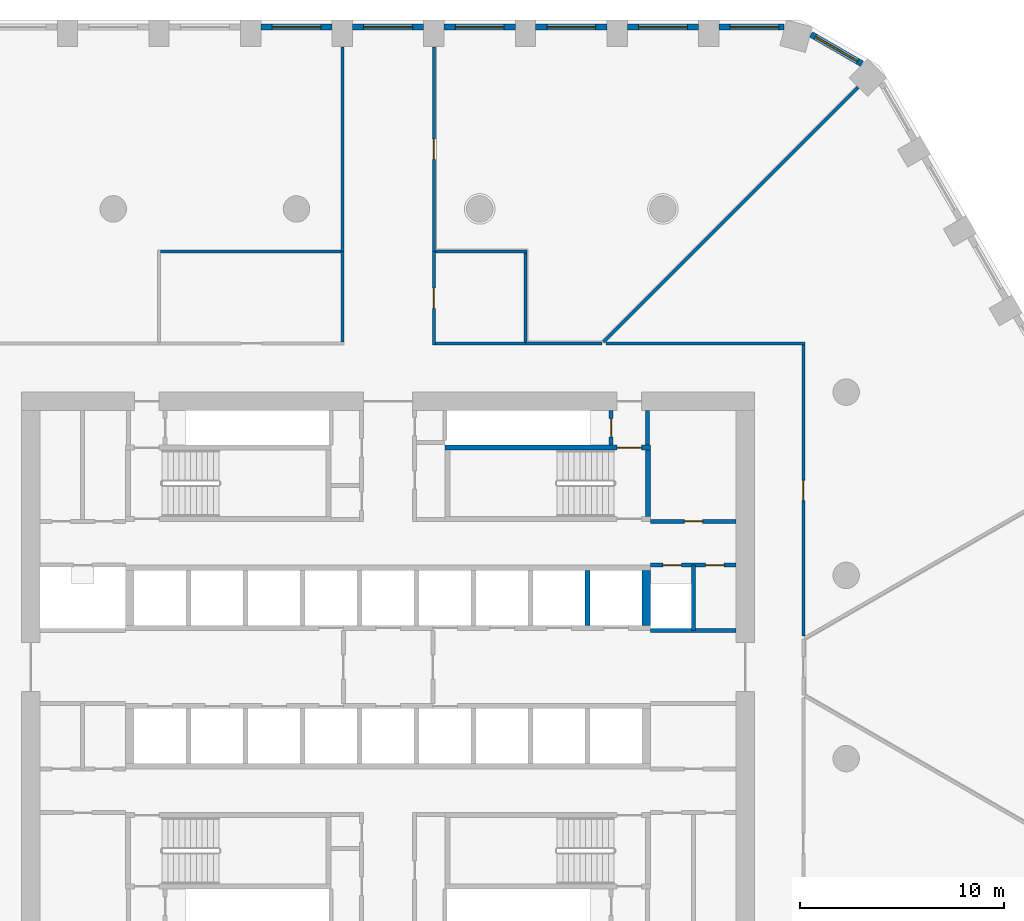
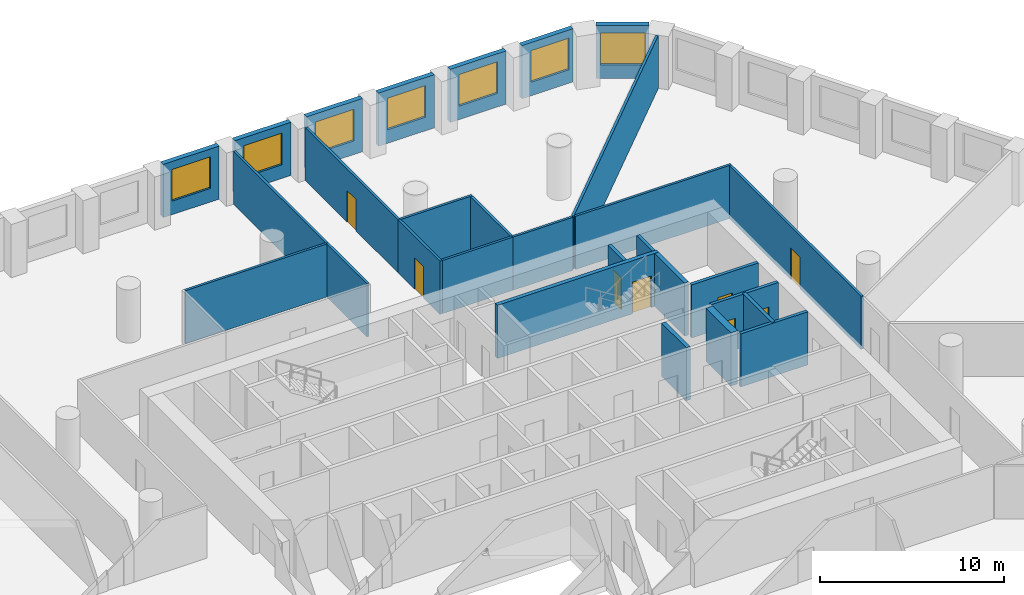
# One storey, part 7 of 14: 29 walls, 8 doors, 7 windows, 15 openings.
"""IFC4 building model written with IfcOpenShell, lengths in metres."""

from ifc_helpers import new_model, si_unit, direction, frame, frame_2d, origin, place, context, subcontext, project, spatial, polyline, rectangle, outline, extrude, material, layer, layer_set, type_object, element, fill, save


model = new_model("IFC4")

# Units and contexts
model_context = context("Model", 3, precision=1e-05, world=origin(), true_north=direction((0.0, 1.0)))
body_context = subcontext(model_context, "Body", "Model", "MODEL_VIEW")
ifc_project = project(units=[si_unit("LENGTHUNIT", "METRE"), si_unit("AREAUNIT", "SQUARE_METRE"), si_unit("VOLUMEUNIT", "CUBIC_METRE"), si_unit("PLANEANGLEUNIT", "RADIAN"), si_unit("MASSUNIT", "GRAM", prefix="KILO")], contexts=[model_context])

# Site, building, storey
site_placement = place(None, origin())
site = spatial("IfcSite", under=ifc_project, at=site_placement, CompositionType="ELEMENT")
building_placement = place(site_placement, origin())
building = spatial("IfcBuilding", under=site, at=building_placement, Name="Dhurran Vertical Campus", CompositionType="ELEMENT")
storey_placement = place(building_placement, frame((0.0, 0.0, 96.89990234375)))
storey = spatial("IfcBuildingStorey", under=building, at=storey_placement, Name="L23", CompositionType="ELEMENT", Elevation=96.89990234375)

# Wall, opening, window
ifc_material_1 = material(Name="Precast concrete C50/60", Category="concrete")
ifc_layer_1 = layer(ifc_material_1, 0.300048828125)
ifc_layer_set_1 = layer_set([ifc_layer_1], Name="Precast concrete C50/60")
wall_type_1 = type_object("IfcWallType", Name="Precast spandrel wall 300", PredefinedType="SOLIDWALL", material=ifc_layer_set_1)
wall_1_placement = place(storey_placement, frame((23.273193359375, 29.63037109375, 0.0), z_axis=(0.0, 0.0, 1.0), x_axis=(-0.866053149362, 0.49995194017, 0.0)))
wall_1 = element("IfcWall", 1, at=wall_1_placement, inside=storey, type_object=wall_type_1, Name="EW1 L23.25", PredefinedType="SOLIDWALL", context=body_context, shape_type="SweptSolid", body=[
    extrude(rectangle(XDim=2.885498046875, YDim=0.300048828125, at=frame_2d((1.44287109375, 0.0))), origin(), (0.0, 0.0, 1.0), 3.525146484375),
])
opening_1_placement = place(wall_1_placement, frame((0.242919921875, 0.0, 0.89990234375)))
opening_1 = element("IfcOpeningElement", 2, at=opening_1_placement, cuts=wall_1, Name="Opening WT1", PredefinedType="OPENING", context=body_context, shape_type="SweptSolid", body=[
    extrude(rectangle(XDim=2.39990234375, YDim=2.10009765625, at=frame_2d((1.199951171875, 1.050048828125))), frame((0.0, 0.159912109375, 0.0), z_axis=(0.0, -1.0, 0.0), x_axis=(1.0, 0.0, 0.0)), (0.0, 0.0, 1.0), 0.320068359375),
])
ifc_material_2 = material(Name="Aluminium frame with solar-control glass", Category="aluminium")
window_type = type_object("IfcWindowType", Name="Punched window 2400 x 2100", PartitioningType="SINGLE_PANEL", PredefinedType="WINDOW", material=ifc_material_2)
window_1_placement = place(opening_1_placement, origin())
window_1 = element("IfcWindow", 3, at=window_1_placement, inside=storey, type_object=window_type, Name="WT1 L23.25", OverallHeight=2.10009765625, OverallWidth=2.39990234375, PartitioningType="SINGLE_PANEL", PredefinedType="WINDOW", context=body_context, shape_type="SweptSolid", body=[
    extrude(rectangle(XDim=2.39990234375, YDim=2.10009765625, at=frame_2d((1.199951171875, 1.050048828125))), frame((0.0, 0.030029296875, 0.0), z_axis=(0.0, -1.0, 0.0), x_axis=(1.0, 0.0, 0.0)), (0.0, 0.0, 1.0), 0.06005859375),
])
fill(opening_1, window_1)

wall_2_placement = place(storey_placement, frame((19.44287109375, 31.4296875, 0.0), z_axis=(0.0, 0.0, 1.0), x_axis=(-1.0, 0.0, 0.0)))
wall_2 = element("IfcWall", 4, at=wall_2_placement, inside=storey, type_object=wall_type_1, Name="EW1 L23.26", PredefinedType="SOLIDWALL", context=body_context, shape_type="SweptSolid", body=[
    extrude(rectangle(XDim=3.1923828125, YDim=0.300048828125, at=frame_2d((1.59619140625, 0.0))), origin(), (0.0, 0.0, 1.0), 3.525146484375),
])
opening_2_placement = place(wall_2_placement, frame((0.242919921875, 0.0, 0.89990234375)))
opening_2 = element("IfcOpeningElement", 5, at=opening_2_placement, cuts=wall_2, Name="Opening WT1", PredefinedType="OPENING", context=body_context, shape_type="SweptSolid", body=[
    extrude(rectangle(XDim=2.39990234375, YDim=2.10009765625, at=frame_2d((1.199951171875, 1.050048828125))), frame((0.0, 0.159912109375, 0.0), z_axis=(0.0, -1.0, 0.0), x_axis=(1.0, 0.0, 0.0)), (0.0, 0.0, 1.0), 0.320068359375),
])
window_2_placement = place(opening_2_placement, origin())
window_2 = element("IfcWindow", 6, at=window_2_placement, inside=storey, type_object=window_type, Name="WT1 L23.26", OverallHeight=2.10009765625, OverallWidth=2.39990234375, PartitioningType="SINGLE_PANEL", PredefinedType="WINDOW", context=body_context, shape_type="SweptSolid", body=[
    extrude(rectangle(XDim=2.39990234375, YDim=2.10009765625, at=frame_2d((1.199951171875, 1.050048828125))), frame((0.0, 0.030029296875, 0.0), z_axis=(0.0, -1.0, 0.0), x_axis=(1.0, 0.0, 0.0)), (0.0, 0.0, 1.0), 0.06005859375),
])
fill(opening_2, window_2)

wall_3_placement = place(storey_placement, frame((15.24951171875, 31.4296875, 0.0), z_axis=(0.0, 0.0, 1.0), x_axis=(-1.0, 0.0, 0.0)))
wall_3 = element("IfcWall", 7, at=wall_3_placement, inside=storey, type_object=wall_type_1, Name="EW1 L23.27", PredefinedType="SOLIDWALL", context=body_context, shape_type="SweptSolid", body=[
    extrude(rectangle(XDim=3.4990234375, YDim=0.300048828125, at=frame_2d((1.74951171875, 0.0))), origin(), (0.0, 0.0, 1.0), 3.525146484375),
])
opening_3_placement = place(wall_3_placement, frame((0.549560546875, 0.0, 0.89990234375)))
opening_3 = element("IfcOpeningElement", 8, at=opening_3_placement, cuts=wall_3, Name="Opening WT1", PredefinedType="OPENING", context=body_context, shape_type="SweptSolid", body=[
    extrude(rectangle(XDim=2.39990234375, YDim=2.10009765625, at=frame_2d((1.199951171875, 1.050048828125))), frame((0.0, 0.159912109375, 0.0), z_axis=(0.0, -1.0, 0.0), x_axis=(1.0, 0.0, 0.0)), (0.0, 0.0, 1.0), 0.320068359375),
])
window_3_placement = place(opening_3_placement, origin())
window_3 = element("IfcWindow", 9, at=window_3_placement, inside=storey, type_object=window_type, Name="WT1 L23.27", OverallHeight=2.10009765625, OverallWidth=2.39990234375, PartitioningType="SINGLE_PANEL", PredefinedType="WINDOW", context=body_context, shape_type="SweptSolid", body=[
    extrude(rectangle(XDim=2.39990234375, YDim=2.10009765625, at=frame_2d((1.199951171875, 1.050048828125))), frame((0.0, 0.030029296875, 0.0), z_axis=(0.0, -1.0, 0.0), x_axis=(1.0, 0.0, 0.0)), (0.0, 0.0, 1.0), 0.06005859375),
])
fill(opening_3, window_3)

wall_4_placement = place(storey_placement, frame((10.74951171875, 31.4296875, 0.0), z_axis=(0.0, 0.0, 1.0), x_axis=(-1.0, 0.0, 0.0)))
wall_4 = element("IfcWall", 10, at=wall_4_placement, inside=storey, type_object=wall_type_1, Name="EW1 L23.28", PredefinedType="SOLIDWALL", context=body_context, shape_type="SweptSolid", body=[
    extrude(rectangle(XDim=3.4990234375, YDim=0.300048828125, at=frame_2d((1.74951171875, 0.0))), origin(), (0.0, 0.0, 1.0), 3.525146484375),
])
opening_4_placement = place(wall_4_placement, frame((0.549560546875, 0.0, 0.89990234375)))
opening_4 = element("IfcOpeningElement", 11, at=opening_4_placement, cuts=wall_4, Name="Opening WT1", PredefinedType="OPENING", context=body_context, shape_type="SweptSolid", body=[
    extrude(rectangle(XDim=2.39990234375, YDim=2.10009765625, at=frame_2d((1.199951171875, 1.050048828125))), frame((0.0, 0.159912109375, 0.0), z_axis=(0.0, -1.0, 0.0), x_axis=(1.0, 0.0, 0.0)), (0.0, 0.0, 1.0), 0.320068359375),
])
window_4_placement = place(opening_4_placement, origin())
window_4 = element("IfcWindow", 12, at=window_4_placement, inside=storey, type_object=window_type, Name="WT1 L23.28", OverallHeight=2.10009765625, OverallWidth=2.39990234375, PartitioningType="SINGLE_PANEL", PredefinedType="WINDOW", context=body_context, shape_type="SweptSolid", body=[
    extrude(rectangle(XDim=2.39990234375, YDim=2.10009765625, at=frame_2d((1.199951171875, 1.050048828125))), frame((0.0, 0.030029296875, 0.0), z_axis=(0.0, -1.0, 0.0), x_axis=(1.0, 0.0, 0.0)), (0.0, 0.0, 1.0), 0.06005859375),
])
fill(opening_4, window_4)

wall_5_placement = place(storey_placement, frame((6.24951171875, 31.4296875, 0.0), z_axis=(0.0, 0.0, 1.0), x_axis=(-1.0, 0.0, 0.0)))
wall_5 = element("IfcWall", 13, at=wall_5_placement, inside=storey, type_object=wall_type_1, Name="EW1 L23.29", PredefinedType="SOLIDWALL", context=body_context, shape_type="SweptSolid", body=[
    extrude(rectangle(XDim=3.4990234375, YDim=0.300048828125, at=frame_2d((1.74951171875, 0.0))), origin(), (0.0, 0.0, 1.0), 3.525146484375),
])
opening_5_placement = place(wall_5_placement, frame((0.549560546875, 0.0, 0.89990234375)))
opening_5 = element("IfcOpeningElement", 14, at=opening_5_placement, cuts=wall_5, Name="Opening WT1", PredefinedType="OPENING", context=body_context, shape_type="SweptSolid", body=[
    extrude(rectangle(XDim=2.39990234375, YDim=2.10009765625, at=frame_2d((1.199951171875, 1.050048828125))), frame((0.0, 0.159912109375, 0.0), z_axis=(0.0, -1.0, 0.0), x_axis=(1.0, 0.0, 0.0)), (0.0, 0.0, 1.0), 0.320068359375),
])
window_5_placement = place(opening_5_placement, origin())
window_5 = element("IfcWindow", 15, at=window_5_placement, inside=storey, type_object=window_type, Name="WT1 L23.29", OverallHeight=2.10009765625, OverallWidth=2.39990234375, PartitioningType="SINGLE_PANEL", PredefinedType="WINDOW", context=body_context, shape_type="SweptSolid", body=[
    extrude(rectangle(XDim=2.39990234375, YDim=2.10009765625, at=frame_2d((1.199951171875, 1.050048828125))), frame((0.0, 0.030029296875, 0.0), z_axis=(0.0, -1.0, 0.0), x_axis=(1.0, 0.0, 0.0)), (0.0, 0.0, 1.0), 0.06005859375),
])
fill(opening_5, window_5)

wall_6_placement = place(storey_placement, frame((1.74951171875, 31.4296875, 0.0), z_axis=(0.0, 0.0, 1.0), x_axis=(-1.0, 0.0, 0.0)))
wall_6 = element("IfcWall", 16, at=wall_6_placement, inside=storey, type_object=wall_type_1, Name="EW1 L23.30", PredefinedType="SOLIDWALL", context=body_context, shape_type="SweptSolid", body=[
    extrude(rectangle(XDim=3.4990234375, YDim=0.300048828125, at=frame_2d((1.74951171875, 0.0))), origin(), (0.0, 0.0, 1.0), 3.525146484375),
])
opening_6_placement = place(wall_6_placement, frame((0.549560546875, 0.0, 0.89990234375)))
opening_6 = element("IfcOpeningElement", 17, at=opening_6_placement, cuts=wall_6, Name="Opening WT1", PredefinedType="OPENING", context=body_context, shape_type="SweptSolid", body=[
    extrude(rectangle(XDim=2.39990234375, YDim=2.10009765625, at=frame_2d((1.199951171875, 1.050048828125))), frame((0.0, 0.159912109375, 0.0), z_axis=(0.0, -1.0, 0.0), x_axis=(1.0, 0.0, 0.0)), (0.0, 0.0, 1.0), 0.320068359375),
])
window_6_placement = place(opening_6_placement, origin())
window_6 = element("IfcWindow", 18, at=window_6_placement, inside=storey, type_object=window_type, Name="WT1 L23.30", OverallHeight=2.10009765625, OverallWidth=2.39990234375, PartitioningType="SINGLE_PANEL", PredefinedType="WINDOW", context=body_context, shape_type="SweptSolid", body=[
    extrude(rectangle(XDim=2.39990234375, YDim=2.10009765625, at=frame_2d((1.199951171875, 1.050048828125))), frame((0.0, 0.030029296875, 0.0), z_axis=(0.0, -1.0, 0.0), x_axis=(1.0, 0.0, 0.0)), (0.0, 0.0, 1.0), 0.06005859375),
])
fill(opening_6, window_6)

wall_7_placement = place(storey_placement, frame((-2.75048828125, 31.4296875, 0.0), z_axis=(0.0, 0.0, 1.0), x_axis=(-1.0, 0.0, 0.0)))
wall_7 = element("IfcWall", 19, at=wall_7_placement, inside=storey, type_object=wall_type_1, Name="EW1 L23.31", PredefinedType="SOLIDWALL", context=body_context, shape_type="SweptSolid", body=[
    extrude(rectangle(XDim=3.4990234375, YDim=0.300048828125, at=frame_2d((1.74951171875, 0.0))), origin(), (0.0, 0.0, 1.0), 3.525146484375),
])
opening_7_placement = place(wall_7_placement, frame((0.549560546875, 0.0, 0.89990234375)))
opening_7 = element("IfcOpeningElement", 20, at=opening_7_placement, cuts=wall_7, Name="Opening WT1", PredefinedType="OPENING", context=body_context, shape_type="SweptSolid", body=[
    extrude(rectangle(XDim=2.39990234375, YDim=2.10009765625, at=frame_2d((1.199951171875, 1.050048828125))), frame((0.0, 0.159912109375, 0.0), z_axis=(0.0, -1.0, 0.0), x_axis=(1.0, 0.0, 0.0)), (0.0, 0.0, 1.0), 0.320068359375),
])
window_7_placement = place(opening_7_placement, origin())
window_7 = element("IfcWindow", 21, at=window_7_placement, inside=storey, type_object=window_type, Name="WT1 L23.31", OverallHeight=2.10009765625, OverallWidth=2.39990234375, PartitioningType="SINGLE_PANEL", PredefinedType="WINDOW", context=body_context, shape_type="SweptSolid", body=[
    extrude(rectangle(XDim=2.39990234375, YDim=2.10009765625, at=frame_2d((1.199951171875, 1.050048828125))), frame((0.0, 0.030029296875, 0.0), z_axis=(0.0, -1.0, 0.0), x_axis=(1.0, 0.0, 0.0)), (0.0, 0.0, 1.0), 0.06005859375),
])
fill(opening_7, window_7)

# Wall
ifc_material_3 = material(Name="Fire-rated masonry blockwork", Category="masonry")
ifc_layer_2 = layer(ifc_material_3, 0.199951171875)
ifc_layer_set_2 = layer_set([ifc_layer_2], Name="Fire-rated masonry blockwork")
wall_type_2 = type_object("IfcWallType", Name="co-FIRE-PARTITION-200", PredefinedType="PARTITIONING", material=ifc_layer_set_2)
wall_8_placement = place(storey_placement, frame((12.75, 10.89990234375, 0.0), z_axis=(0.0, 0.0, 1.0), x_axis=(0.0, 1.0, 0.0)))
element("IfcWall", 22, at=wall_8_placement, inside=storey, type_object=wall_type_2, Name="Core partition pass-ST2-o L23", PredefinedType="PARTITIONING", context=body_context, shape_type="SweptSolid", body=[
    extrude(rectangle(XDim=1.7001953125, YDim=0.199951171875, at=frame_2d((0.85009765625, 0.0))), origin(), (0.0, 0.0, 1.0), 3.525146484375),
])

# Wall, opening, door
wall_9_placement = place(storey_placement, frame((10.949951171875, 10.89990234375, 0.0), z_axis=(0.0, 0.0, 1.0), x_axis=(0.0, 1.0, 0.0)))
wall_9 = element("IfcWall", 23, at=wall_9_placement, inside=storey, type_object=wall_type_2, Name="Core partition pass-ST2-i L23", PredefinedType="PARTITIONING", context=body_context, shape_type="SweptSolid", body=[
    extrude(rectangle(XDim=1.7001953125, YDim=0.199951171875, at=frame_2d((0.85009765625, 0.0))), origin(), (0.0, 0.0, 1.0), 3.525146484375),
])
opening_8_placement = place(wall_9_placement, frame((0.39990234375, 0.0, 0.0)))
opening_8 = element("IfcOpeningElement", 24, at=opening_8_placement, cuts=wall_9, Name="Opening T06-C9", PredefinedType="OPENING", context=body_context, shape_type="SweptSolid", body=[
    extrude(rectangle(XDim=0.89990234375, YDim=2.10009765625, at=frame_2d((0.449951171875, 1.050048828125))), frame((0.0, 0.10986328125, 0.0), z_axis=(0.0, -1.0, 0.0), x_axis=(1.0, 0.0, 0.0)), (0.0, 0.0, 1.0), 0.219970703125),
])
ifc_material_4 = material(Name="Fire-rated timber door set", Category="wood")
door_type_1 = type_object("IfcDoorType", Name="co-D-ROOM 900x2100", OperationType="SINGLE_SWING_LEFT", PredefinedType="DOOR", material=ifc_material_4)
door_1_placement = place(opening_8_placement, origin())
door_1 = element("IfcDoor", 25, at=door_1_placement, inside=storey, type_object=door_type_1, Name="Riser room door L23", OperationType="SINGLE_SWING_LEFT", OverallHeight=2.10009765625, OverallWidth=0.89990234375, PredefinedType="DOOR", context=body_context, shape_type="SweptSolid", body=[
    extrude(rectangle(XDim=0.89990234375, YDim=2.10009765625, at=frame_2d((0.449951171875, 1.050048828125))), frame((0.0, 0.02490234375, 0.0), z_axis=(0.0, -1.0, 0.0), x_axis=(1.0, 0.0, 0.0)), (0.0, 0.0, 1.0), 0.050048828125),
])
fill(opening_8, door_1)

wall_10_placement = place(storey_placement, frame((12.89990234375, 7.14990234375, 0.0), z_axis=(0.0, 0.0, 1.0), x_axis=(1.0, 0.0, 0.0)))
wall_10 = element("IfcWall", 26, at=wall_10_placement, inside=storey, type_object=wall_type_2, Name="Core partition en-NE-w L23", PredefinedType="PARTITIONING", context=body_context, shape_type="SweptSolid", body=[
    extrude(rectangle(XDim=4.2001953125, YDim=0.199951171875, at=frame_2d((2.10009765625, 0.0))), origin(), (0.0, 0.0, 1.0), 3.525146484375),
])
opening_9_placement = place(wall_10_placement, frame((1.64990234375, 0.0, 0.0)))
opening_9 = element("IfcOpeningElement", 27, at=opening_9_placement, cuts=wall_10, Name="Opening T06-C15", PredefinedType="OPENING", context=body_context, shape_type="SweptSolid", body=[
    extrude(rectangle(XDim=0.89990234375, YDim=2.10009765625, at=frame_2d((0.449951171875, 1.050048828125))), frame((0.0, 0.10986328125, 0.0), z_axis=(0.0, -1.0, 0.0), x_axis=(1.0, 0.0, 0.0)), (0.0, 0.0, 1.0), 0.219970703125),
])
door_2_placement = place(opening_9_placement, origin())
door_2 = element("IfcDoor", 28, at=door_2_placement, inside=storey, type_object=door_type_1, Name="Server room door L23", OperationType="SINGLE_SWING_LEFT", OverallHeight=2.10009765625, OverallWidth=0.89990234375, PredefinedType="DOOR", context=body_context, shape_type="SweptSolid", body=[
    extrude(rectangle(XDim=0.89990234375, YDim=2.10009765625, at=frame_2d((0.449951171875, 1.050048828125))), frame((0.0, 0.02490234375, 0.0), z_axis=(0.0, -1.0, 0.0), x_axis=(1.0, 0.0, 0.0)), (0.0, 0.0, 1.0), 0.050048828125),
])
fill(opening_9, door_2)

# Wall
wall_11_placement = place(storey_placement, frame((15.0, 1.800048828125, 0.0), z_axis=(0.0, 0.0, 1.0), x_axis=(0.0, 1.0, 0.0)))
element("IfcWall", 29, at=wall_11_placement, inside=storey, type_object=wall_type_2, Name="Core partition es-NE-cut0 L23", PredefinedType="PARTITIONING", context=body_context, shape_type="SweptSolid", body=[
    extrude(rectangle(XDim=3.199951171875, YDim=0.199951171875, at=frame_2d((1.60009765625, 0.0))), origin(), (0.0, 0.0, 1.0), 3.525146484375),
])

# Wall, openings, doors
wall_12_placement = place(storey_placement, frame((12.89990234375, 5.0, 0.0), z_axis=(0.0, 0.0, 1.0), x_axis=(1.0, 0.0, 0.0)))
wall_12 = element("IfcWall", 30, at=wall_12_placement, inside=storey, type_object=wall_type_2, Name="Core partition es-NE-w L23", PredefinedType="PARTITIONING", context=body_context, shape_type="SweptSolid", body=[
    extrude(rectangle(XDim=4.2001953125, YDim=0.199951171875, at=frame_2d((2.10009765625, 0.0))), origin(), (0.0, 0.0, 1.0), 3.525146484375),
])
opening_10_placement = place(wall_12_placement, frame((0.60009765625, 0.0, 0.0)))
opening_10 = element("IfcOpeningElement", 31, at=opening_10_placement, cuts=wall_12, Name="Opening T06-C16", PredefinedType="OPENING", context=body_context, shape_type="SweptSolid", body=[
    extrude(rectangle(XDim=0.89990234375, YDim=2.10009765625, at=frame_2d((0.449951171875, 1.050048828125))), frame((0.0, 0.10986328125, 0.0), z_axis=(0.0, -1.0, 0.0), x_axis=(1.0, 0.0, 0.0)), (0.0, 0.0, 1.0), 0.219970703125),
])
opening_11_placement = place(wall_12_placement, frame((2.699951171875, 0.0, 0.0)))
opening_11 = element("IfcOpeningElement", 32, at=opening_11_placement, cuts=wall_12, Name="Opening T06-C17", PredefinedType="OPENING", context=body_context, shape_type="SweptSolid", body=[
    extrude(rectangle(XDim=0.89990234375, YDim=2.10009765625, at=frame_2d((0.449951171875, 1.050048828125))), frame((0.0, 0.10986328125, 0.0), z_axis=(0.0, -1.0, 0.0), x_axis=(1.0, 0.0, 0.0)), (0.0, 0.0, 1.0), 0.219970703125),
])
door_3_placement = place(opening_10_placement, origin())
door_3 = element("IfcDoor", 33, at=door_3_placement, inside=storey, type_object=door_type_1, Name="Electrical riser door L23", OperationType="SINGLE_SWING_LEFT", OverallHeight=2.10009765625, OverallWidth=0.89990234375, PredefinedType="DOOR", context=body_context, shape_type="SweptSolid", body=[
    extrude(rectangle(XDim=0.89990234375, YDim=2.10009765625, at=frame_2d((0.449951171875, 1.050048828125))), frame((0.0, 0.02490234375, 0.0), z_axis=(0.0, -1.0, 0.0), x_axis=(1.0, 0.0, 0.0)), (0.0, 0.0, 1.0), 0.050048828125),
])
fill(opening_10, door_3)
door_4_placement = place(opening_11_placement, origin())
door_4 = element("IfcDoor", 34, at=door_4_placement, inside=storey, type_object=door_type_1, Name="Waste room door L23", OperationType="SINGLE_SWING_LEFT", OverallHeight=2.10009765625, OverallWidth=0.89990234375, PredefinedType="DOOR", context=body_context, shape_type="SweptSolid", body=[
    extrude(rectangle(XDim=0.89990234375, YDim=2.10009765625, at=frame_2d((0.449951171875, 1.050048828125))), frame((0.0, 0.02490234375, 0.0), z_axis=(0.0, -1.0, 0.0), x_axis=(1.0, 0.0, 0.0)), (0.0, 0.0, 1.0), 0.050048828125),
])
fill(opening_11, door_4)

# Walls
wall_13_placement = place(storey_placement, frame((12.89990234375, 1.800048828125, 0.0), z_axis=(0.0, 0.0, 1.0), x_axis=(1.0, 0.0, 0.0)))
element("IfcWall", 35, at=wall_13_placement, inside=storey, type_object=wall_type_2, Name="Core partition es-NE-l L23", PredefinedType="PARTITIONING", context=body_context, shape_type="SweptSolid", body=[
    extrude(rectangle(XDim=4.2001953125, YDim=0.199951171875, at=frame_2d((2.10009765625, 0.0))), origin(), (0.0, 0.0, 1.0), 3.525146484375),
])
ifc_material_5 = material(Name="Concrete C50/60", Category="concrete")
ifc_layer_3 = layer(ifc_material_5, 0.25)
ifc_layer_set_3 = layer_set([ifc_layer_3], Name="Concrete C50/60")
wall_type_3 = type_object("IfcWallType", Name="co-SHAFT-MASS-250", PredefinedType="SHEAR", material=ifc_layer_set_3)
wall_14_placement = place(storey_placement, origin())
element("IfcWall", 36, at=wall_14_placement, inside=storey, type_object=wall_type_3, Name="Lift shaft wall N L23 10", PredefinedType="SHEAR", context=body_context, shape_type="SweptSolid", body=[
    extrude(outline(polyline([(9.675048828125, 2.050048828125), (9.925048828125, 2.050048828125), (9.925048828125, 4.75), (9.675048828125, 4.75), (9.675048828125, 2.050048828125)])), origin(), (0.0, 0.0, 1.0), 3.525146484375),
])
wall_15_placement = place(storey_placement, origin())
element("IfcWall", 37, at=wall_15_placement, inside=storey, type_object=wall_type_3, Name="Lift shaft wall N L23 11", PredefinedType="SHEAR", context=body_context, shape_type="SweptSolid", body=[
    extrude(outline(polyline([(12.47509765625, 2.050048828125), (12.89990234375, 2.050048828125), (12.89990234375, 4.75), (12.47509765625, 4.75), (12.47509765625, 2.050048828125)])), origin(), (0.0, 0.0, 1.0), 3.525146484375),
])

# Wall, opening, door
ifc_material_6 = material(Name="Concrete C40/50", Category="concrete")
ifc_layer_4 = layer(ifc_material_6, 0.25)
ifc_layer_set_4 = layer_set([ifc_layer_4], Name="Concrete C40/50")
wall_type_4 = type_object("IfcWallType", Name="co-STAIR-WALL-250", PredefinedType="SHEAR", material=ifc_layer_set_4)
wall_16_placement = place(storey_placement, frame((2.800048828125, 10.77490234375, 0.0), z_axis=(0.0, 0.0, 1.0), x_axis=(1.0, 0.0, 0.0)))
wall_16 = element("IfcWall", 38, at=wall_16_placement, inside=storey, type_object=wall_type_4, Name="Stair ST2 enclosure wall L23", PredefinedType="SHEAR", context=body_context, shape_type="SweptSolid", body=[
    extrude(rectangle(XDim=10.099853515625, YDim=0.25, at=frame_2d((5.0498046875, 0.0))), origin(), (0.0, 0.0, 1.0), 3.525146484375),
])
opening_12_placement = place(wall_16_placement, frame((8.449951171875, 0.0, 0.0)))
opening_12 = element("IfcOpeningElement", 39, at=opening_12_placement, cuts=wall_16, Name="Opening XS2", PredefinedType="OPENING", context=body_context, shape_type="SweptSolid", body=[
    extrude(rectangle(XDim=1.199951171875, YDim=2.10009765625, at=frame_2d((0.60009765625, 1.050048828125))), frame((0.0, 0.135009765625, 0.0), z_axis=(0.0, -1.0, 0.0), x_axis=(1.0, 0.0, 0.0)), (0.0, 0.0, 1.0), 0.27001953125),
])
ifc_material_7 = material(Name="Fire-rated steel door set", Category="steel")
door_type_2 = type_object("IfcDoorType", Name="co-D-STAIR-EXIT 1200x2100", OperationType="SINGLE_SWING_RIGHT", PredefinedType="DOOR", material=ifc_material_7)
door_5_placement = place(opening_12_placement, origin())
door_5 = element("IfcDoor", 40, at=door_5_placement, inside=storey, type_object=door_type_2, Name="Stair ST2 discharge door L23", OperationType="SINGLE_SWING_RIGHT", OverallHeight=2.10009765625, OverallWidth=1.199951171875, PredefinedType="DOOR", context=body_context, shape_type="SweptSolid", body=[
    extrude(rectangle(XDim=1.199951171875, YDim=2.10009765625, at=frame_2d((0.60009765625, 1.050048828125))), frame((0.0, 0.02490234375, 0.0), z_axis=(0.0, -1.0, 0.0), x_axis=(1.0, 0.0, 0.0)), (0.0, 0.0, 1.0), 0.050048828125),
])
fill(opening_12, door_5)

# Walls
wall_17_placement = place(storey_placement, frame((12.77490234375, 7.39990234375, 0.0), z_axis=(0.0, 0.0, 1.0), x_axis=(0.0, 1.0, 0.0)))
element("IfcWall", 41, at=wall_17_placement, inside=storey, type_object=wall_type_4, Name="Stair ST2 enclosure wall L23", PredefinedType="SHEAR", context=body_context, shape_type="SweptSolid", body=[
    extrude(rectangle(XDim=3.25, YDim=0.25, at=frame_2d((1.625, 0.0))), origin(), (0.0, 0.0, 1.0), 3.525146484375),
])
ifc_material_8 = material(Name="Gypsum board corridor wall on steel studs", Category="steel")
ifc_layer_5 = layer(ifc_material_8, 0.14990234375)
ifc_layer_set_5 = layer_set([ifc_layer_5], Name="Gypsum board corridor wall on steel studs")
wall_type_5 = type_object("IfcWallType", Name="fl-CW-150 corridor wall", PredefinedType="PARTITIONING", material=ifc_layer_set_5)
wall_18_placement = place(storey_placement, frame((-2.25, 15.97509765625, 0.0), z_axis=(0.0, 0.0, 1.0), x_axis=(0.0, 1.0, 0.0)))
element("IfcWall", 42, at=wall_18_placement, inside=storey, type_object=wall_type_5, Name="Partition 23-26", PredefinedType="PARTITIONING", context=body_context, shape_type="SweptSolid", body=[
    extrude(rectangle(XDim=4.4248046875, YDim=0.14990234375, at=frame_2d((2.21240234375, 0.0))), origin(), (0.0, 0.0, 1.0), 3.525146484375),
])
wall_19_placement = place(storey_placement, frame((-2.25, 20.39990234375, 0.0), z_axis=(0.0, 0.0, 1.0), x_axis=(0.0, 1.0, 0.0)))
element("IfcWall", 43, at=wall_19_placement, inside=storey, type_object=wall_type_5, Name="Partition 23-27", PredefinedType="PARTITIONING", context=body_context, shape_type="SweptSolid", body=[
    extrude(rectangle(XDim=10.059814453125, YDim=0.14990234375, at=frame_2d((5.02978515625, 0.0))), origin(), (0.0, 0.0, 1.0), 3.525146484375),
])

# Wall, opening, door
wall_20_placement = place(storey_placement, frame((2.25, 20.39990234375, 0.0), z_axis=(0.0, 0.0, 1.0), x_axis=(0.0, -1.0, 0.0)))
wall_20 = element("IfcWall", 44, at=wall_20_placement, inside=storey, type_object=wall_type_5, Name="Partition 23-32", PredefinedType="PARTITIONING", context=body_context, shape_type="SweptSolid", body=[
    extrude(rectangle(XDim=4.574951171875, YDim=0.14990234375, at=frame_2d((2.28759765625, 0.0))), origin(), (0.0, 0.0, 1.0), 3.525146484375),
])
opening_13_placement = place(wall_20_placement, frame((1.78759765625, 0.0, 0.0)))
opening_13 = element("IfcOpeningElement", 45, at=opening_13_placement, cuts=wall_20, Name="Opening T06.10", PredefinedType="OPENING", context=body_context, shape_type="SweptSolid", body=[
    extrude(rectangle(XDim=1.0, YDim=2.10009765625, at=frame_2d((0.5, 1.050048828125))), frame((0.0, 0.0849609375, 0.0), z_axis=(0.0, -1.0, 0.0), x_axis=(1.0, 0.0, 0.0)), (0.0, 0.0, 1.0), 0.169921875),
])
ifc_material_9 = material(Name="Solid-core timber door set, fire-rated", Category="wood")
door_type_3 = type_object("IfcDoorType", Name="fl-D-1000x2100", OperationType="SINGLE_SWING_LEFT", PredefinedType="DOOR", material=ifc_material_9)
door_6_placement = place(opening_13_placement, origin())
door_6 = element("IfcDoor", 46, at=door_6_placement, inside=storey, type_object=door_type_3, Name="Door 23.10", OperationType="SINGLE_SWING_LEFT", OverallHeight=2.10009765625, OverallWidth=1.0, PredefinedType="DOOR", context=body_context, shape_type="SweptSolid", body=[
    extrude(rectangle(XDim=1.0, YDim=2.10009765625, at=frame_2d((0.5, 1.050048828125))), frame((0.0, 0.02490234375, 0.0), z_axis=(0.0, -1.0, 0.0), x_axis=(1.0, 0.0, 0.0)), (0.0, 0.0, 1.0), 0.050048828125),
])
fill(opening_13, door_6)

# Wall
wall_21_placement = place(storey_placement, frame((6.75, 15.89990234375, 0.0), z_axis=(0.0, 0.0, 1.0), x_axis=(-1.0, 0.0, 0.0)))
element("IfcWall", 47, at=wall_21_placement, inside=storey, type_object=wall_type_5, Name="Partition 23-33", PredefinedType="PARTITIONING", context=body_context, shape_type="SweptSolid", body=[
    extrude(rectangle(XDim=4.425048828125, YDim=0.14990234375, at=frame_2d((2.21240234375, 0.0))), origin(), (0.0, 0.0, 1.0), 3.525146484375),
])

# Wall, opening, door
wall_22_placement = place(storey_placement, frame((2.25, 30.459716796875, 0.0), z_axis=(0.0, 0.0, 1.0), x_axis=(0.0, -1.0, 0.0)))
wall_22 = element("IfcWall", 48, at=wall_22_placement, inside=storey, type_object=wall_type_5, Name="Partition 23-34", PredefinedType="PARTITIONING", context=body_context, shape_type="SweptSolid", body=[
    extrude(rectangle(XDim=10.059814453125, YDim=0.14990234375, at=frame_2d((5.02978515625, 0.0))), origin(), (0.0, 0.0, 1.0), 3.525146484375),
])
opening_14_placement = place(wall_22_placement, frame((4.52978515625, 0.0, 0.0)))
opening_14 = element("IfcOpeningElement", 49, at=opening_14_placement, cuts=wall_22, Name="Opening T06.12", PredefinedType="OPENING", context=body_context, shape_type="SweptSolid", body=[
    extrude(rectangle(XDim=1.0, YDim=2.10009765625, at=frame_2d((0.5, 1.050048828125))), frame((0.0, 0.0849609375, 0.0), z_axis=(0.0, -1.0, 0.0), x_axis=(1.0, 0.0, 0.0)), (0.0, 0.0, 1.0), 0.169921875),
])
door_7_placement = place(opening_14_placement, origin())
door_7 = element("IfcDoor", 50, at=door_7_placement, inside=storey, type_object=door_type_3, Name="Door 23.12", OperationType="SINGLE_SWING_LEFT", OverallHeight=2.10009765625, OverallWidth=1.0, PredefinedType="DOOR", context=body_context, shape_type="SweptSolid", body=[
    extrude(rectangle(XDim=1.0, YDim=2.10009765625, at=frame_2d((0.5, 1.050048828125))), frame((0.0, 0.02490234375, 0.0), z_axis=(0.0, -1.0, 0.0), x_axis=(1.0, 0.0, 0.0)), (0.0, 0.0, 1.0), 0.050048828125),
])
fill(opening_14, door_7)

# Walls
wall_23_placement = place(storey_placement, frame((10.51708984375, 15.89990234375, 0.0), z_axis=(0.0, 0.0, 1.0), x_axis=(-1.0, 0.0, 0.0)))
element("IfcWall", 51, at=wall_23_placement, inside=storey, type_object=wall_type_5, Name="Partition 23-37", PredefinedType="PARTITIONING", context=body_context, shape_type="SweptSolid", body=[
    extrude(rectangle(XDim=3.76708984375, YDim=0.14990234375, at=frame_2d((1.883544921875, 0.0))), origin(), (0.0, 0.0, 1.0), 3.525146484375),
])
wall_24_placement = place(storey_placement, frame((20.47509765625, 15.89990234375, 0.0), z_axis=(0.0, 0.0, 1.0), x_axis=(-1.0, 0.0, 0.0)))
element("IfcWall", 52, at=wall_24_placement, inside=storey, type_object=wall_type_5, Name="Partition 23-38", PredefinedType="PARTITIONING", context=body_context, shape_type="SweptSolid", body=[
    extrude(rectangle(XDim=9.783203125, YDim=0.14990234375, at=frame_2d((4.8916015625, 0.0))), origin(), (0.0, 0.0, 1.0), 3.525146484375),
])

# Wall, opening, door
wall_25_placement = place(storey_placement, frame((20.39990234375, 1.51611328125, 0.0), z_axis=(0.0, 0.0, 1.0), x_axis=(0.0, 1.0, 0.0)))
wall_25 = element("IfcWall", 53, at=wall_25_placement, inside=storey, type_object=wall_type_5, Name="Partition 23-47", PredefinedType="PARTITIONING", context=body_context, shape_type="SweptSolid", body=[
    extrude(rectangle(XDim=14.308837890625, YDim=0.14990234375, at=frame_2d((7.154296875, 0.0))), origin(), (0.0, 0.0, 1.0), 3.525146484375),
])
opening_15_placement = place(wall_25_placement, frame((6.654541015625, 0.0, 0.0)))
opening_15 = element("IfcOpeningElement", 54, at=opening_15_placement, cuts=wall_25, Name="Opening T06.14", PredefinedType="OPENING", context=body_context, shape_type="SweptSolid", body=[
    extrude(rectangle(XDim=1.0, YDim=2.10009765625, at=frame_2d((0.5, 1.050048828125))), frame((0.0, 0.0849609375, 0.0), z_axis=(0.0, -1.0, 0.0), x_axis=(1.0, 0.0, 0.0)), (0.0, 0.0, 1.0), 0.169921875),
])
door_8_placement = place(opening_15_placement, origin())
door_8 = element("IfcDoor", 55, at=door_8_placement, inside=storey, type_object=door_type_3, Name="Door 23.14", OperationType="SINGLE_SWING_RIGHT", OverallHeight=2.10009765625, OverallWidth=1.0, PredefinedType="DOOR", context=body_context, shape_type="SweptSolid", body=[
    extrude(rectangle(XDim=1.0, YDim=2.10009765625, at=frame_2d((0.5, 1.050048828125))), frame((0.0, 0.02490234375, 0.0), z_axis=(0.0, -1.0, 0.0), x_axis=(1.0, 0.0, 0.0)), (0.0, 0.0, 1.0), 0.050048828125),
])
fill(opening_15, door_8)

# Walls
ifc_material_10 = material(Name="Gypsum board partition on steel studs", Category="steel")
ifc_layer_6 = layer(ifc_material_10, 0.14990234375)
ifc_layer_set_6 = layer_set([ifc_layer_6], Name="Gypsum board partition on steel studs")
wall_type_6 = type_object("IfcWallType", Name="fl-PW-150 fixed partition", PredefinedType="PARTITIONING", material=ifc_layer_set_6)
wall_26_placement = place(storey_placement, frame((-2.324951171875, 20.39990234375, 0.0), z_axis=(0.0, 0.0, 1.0), x_axis=(-1.0, 0.0, 0.0)))
element("IfcWall", 56, at=wall_26_placement, inside=storey, type_object=wall_type_6, Name="Partition 23-23", PredefinedType="PARTITIONING", context=body_context, shape_type="SweptSolid", body=[
    extrude(rectangle(XDim=8.85009765625, YDim=0.14990234375, at=frame_2d((4.425048828125, 0.0))), origin(), (0.0, 0.0, 1.0), 3.525146484375),
])
wall_27_placement = place(storey_placement, frame((2.324951171875, 20.39990234375, 0.0), z_axis=(0.0, 0.0, 1.0), x_axis=(1.0, 0.0, 0.0)))
element("IfcWall", 57, at=wall_27_placement, inside=storey, type_object=wall_type_6, Name="Partition 23-35", PredefinedType="PARTITIONING", context=body_context, shape_type="SweptSolid", body=[
    extrude(rectangle(XDim=4.5, YDim=0.14990234375, at=frame_2d((2.25, 0.0))), origin(), (0.0, 0.0, 1.0), 3.525146484375),
])
wall_28_placement = place(storey_placement, frame((6.75, 20.324951171875, 0.0), z_axis=(0.0, 0.0, 1.0), x_axis=(0.0, -1.0, 0.0)))
element("IfcWall", 58, at=wall_28_placement, inside=storey, type_object=wall_type_6, Name="Partition 23-36", PredefinedType="PARTITIONING", context=body_context, shape_type="SweptSolid", body=[
    extrude(rectangle(XDim=4.349853515625, YDim=0.14990234375, at=frame_2d((2.1748046875, 0.0))), origin(), (0.0, 0.0, 1.0), 3.525146484375),
])
wall_29_placement = place(storey_placement, frame((23.09033203125, 28.473388671875, 0.0), z_axis=(0.0, 0.0, 1.0), x_axis=(-0.707099887057, -0.707113675249, 0.0)))
element("IfcWall", 59, at=wall_29_placement, inside=storey, type_object=wall_type_6, Name="Partition 23-39", PredefinedType="PARTITIONING", context=body_context, shape_type="SweptSolid", body=[
    extrude(rectangle(XDim=17.70654296875, YDim=0.14990234375, at=frame_2d((8.853271484375, 0.0))), origin(), (0.0, 0.0, 1.0), 3.525146484375),
])

save(model, "model.ifc")
